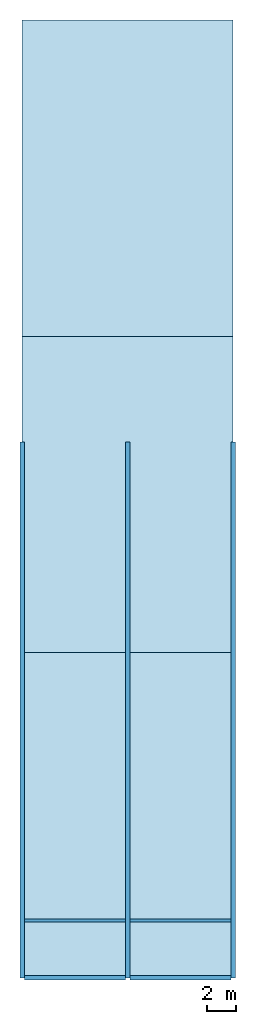
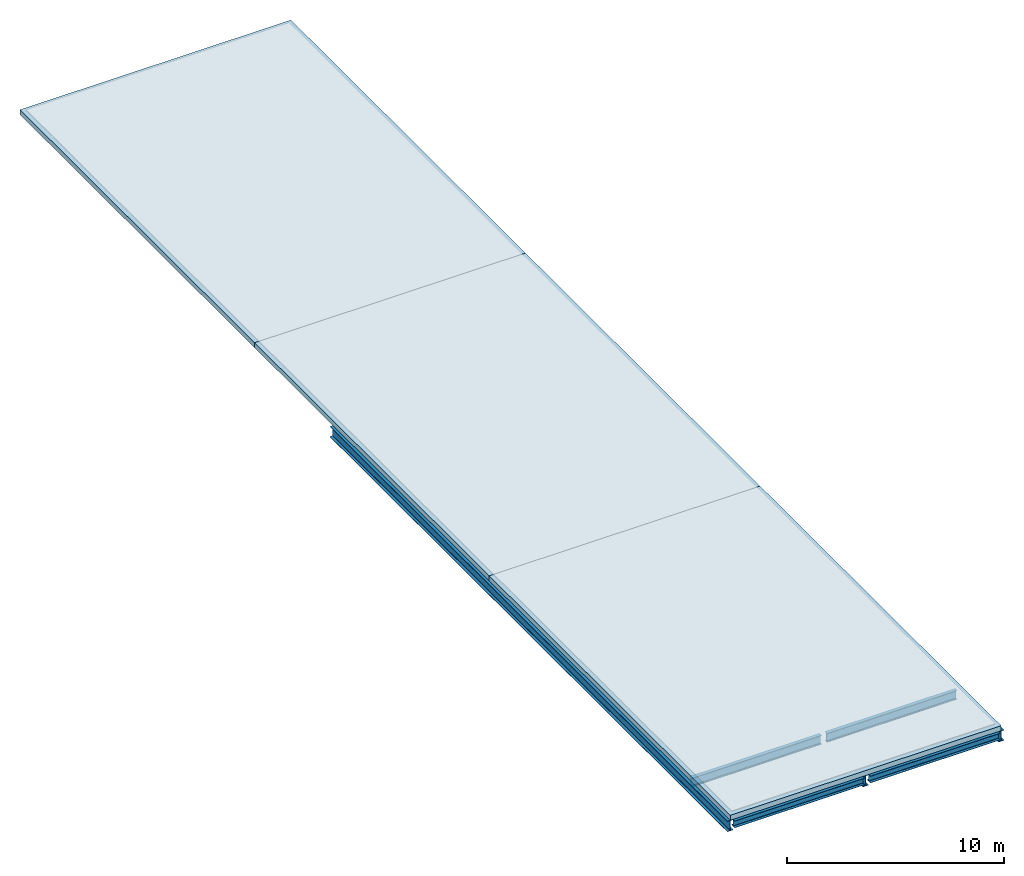
# One storey, part 1 of 2: 7 beams, 3 slabs.
"""IFC4 building model written with IfcOpenShell, lengths in metres."""

from ifc_helpers import new_model, si_unit, direction, frame, origin, origin_2d, place, context, subcontext, project, spatial, polyline, i_section, outline, extrude, material, layer, layer_set, material_profile, profile_set, type_object, element, save


model = new_model("IFC4")

# Units and contexts
model_context = context("Model", 3, precision=1e-05, world=origin(), true_north=direction((0.0, 1.0)))
body_context = subcontext(model_context, "Body", "Model", "MODEL_VIEW")
ifc_project = project(units=[si_unit("LENGTHUNIT", "METRE"), si_unit("AREAUNIT", "SQUARE_METRE"), si_unit("VOLUMEUNIT", "CUBIC_METRE"), si_unit("PLANEANGLEUNIT", "RADIAN"), si_unit("MASSUNIT", "GRAM", prefix="KILO")], contexts=[model_context])

# Site, building, storey
site_placement = place(None, origin())
site = spatial("IfcSite", under=ifc_project, at=site_placement, CompositionType="ELEMENT")
building_placement = place(site_placement, origin())
building = spatial("IfcBuilding", under=site, at=building_placement, Name="Valkovuoma Quantum and Materials Research Institute", CompositionType="ELEMENT")
storey_placement = place(building_placement, frame((0.0, 0.0, 42.239990234375)))
storey = spatial("IfcBuildingStorey", under=building, at=storey_placement, Name="Roof", CompositionType="ELEMENT", Elevation=42.239990234375)

# Beams
ifc_material_1 = material(Name="Steel S355J2", Category="steel")
ifc_material_profile_1 = material_profile(ifc_material_1, i_section(OverallWidth=0.300048828125, OverallDepth=0.389892578125, WebThickness=0.010986328125, FlangeThickness=0.01904296875, FilletRadius=0.027099609375, at=origin_2d()), Name="Steel S355J2")
ifc_profile_set_1 = profile_set([ifc_material_profile_1], Name="Steel S355J2")
beam_type_1 = type_object("IfcBeamType", Name="Beam-B-HEA400", PredefinedType="SPANDREL", material=ifc_profile_set_1)
beam_1_placement = place(storey_placement, frame((0.14990234375, 21.0, -0.47509765625), z_axis=(1.0, 0.0, 0.0), x_axis=(0.0, 1.0, 0.0)))
element("IfcBeam", 1, at=beam_1_placement, inside=storey, type_object=beam_type_1, Name="Roof cantilever tip beam 1", PredefinedType="SPANDREL", context=body_context, shape_type="SweptSolid", body=[
    extrude(i_section(OverallWidth=0.300048828125, OverallDepth=0.389892578125, WebThickness=0.010986328125, FlangeThickness=0.01904296875, FilletRadius=0.027099609375, at=origin_2d()), origin(), (0.0, 0.0, 1.0), 6.900146484375),
])
beam_2_placement = place(storey_placement, frame((7.35009765625, 21.0, -0.47509765625), z_axis=(1.0, 0.0, 0.0), x_axis=(0.0, 1.0, 0.0)))
element("IfcBeam", 2, at=beam_2_placement, inside=storey, type_object=beam_type_1, Name="Roof cantilever tip beam 2", PredefinedType="SPANDREL", context=body_context, shape_type="SweptSolid", body=[
    extrude(i_section(OverallWidth=0.300048828125, OverallDepth=0.389892578125, WebThickness=0.010986328125, FlangeThickness=0.01904296875, FilletRadius=0.027099609375, at=origin_2d()), origin(), (0.0, 0.0, 1.0), 6.89990234375),
])
ifc_material_2 = material(Name="Steel S355J2", Category="steel")
ifc_material_profile_2 = material_profile(ifc_material_2, i_section(OverallWidth=0.300048828125, OverallDepth=0.60009765625, WebThickness=0.015380859375, FlangeThickness=0.030029296875, FilletRadius=0.027099609375, at=origin_2d()), Name="Steel S355J2")
ifc_profile_set_2 = profile_set([ifc_material_profile_2], Name="Steel S355J2")
beam_type_2 = type_object("IfcBeamType", Name="Beam-B-HEB600", PredefinedType="BEAM", material=ifc_profile_set_2)
for number, where, z_axis, x_axis, name in (
    (3, (0.0, 21.0, -0.580078125), (0.0, 1.0, 0.0), (-1.0, 0.0, 0.0), "Roof cantilever girder X0"),
    (4, (7.199951171875, 21.0, -0.580078125), (0.0, 1.0, 0.0), (-1.0, 0.0, 0.0), "Roof cantilever girder X1"),
    (5, (14.39990234375, 21.0, -0.580078125), (0.0, 1.0, 0.0), (-1.0, 0.0, 0.0), "Roof cantilever girder X2"),
):
    element("IfcBeam", number, at=place(storey_placement, frame(where, z_axis=z_axis, x_axis=x_axis)), inside=storey, type_object=beam_type_2, Name=name, PredefinedType="BEAM", context=body_context, shape_type="SweptSolid", body=[
        extrude(i_section(OverallWidth=0.300048828125, OverallDepth=0.60009765625, WebThickness=0.015380859375, FlangeThickness=0.030029296875, FilletRadius=0.027099609375, at=origin_2d()), origin(), (0.0, 0.0, 1.0), 36.60009765625),
    ])
ifc_material_3 = material(Name="Steel S355J2", Category="steel")
ifc_material_profile_3 = material_profile(ifc_material_3, i_section(OverallWidth=0.199951171875, OverallDepth=0.5, WebThickness=0.01025390625, FlangeThickness=0.01611328125, FilletRadius=0.02099609375, at=origin_2d()), Name="Steel S355J2")
ifc_profile_set_3 = profile_set([ifc_material_profile_3], Name="Steel S355J2")
beam_type_3 = type_object("IfcBeamType", Name="Beam-B-IPE500", PredefinedType="BEAM", material=ifc_profile_set_3)
beam_3_placement = place(storey_placement, frame((0.14990234375, 24.89990234375, -0.530029296875), z_axis=(1.0, 0.0, 0.0), x_axis=(0.0, 1.0, 0.0)))
element("IfcBeam", 6, at=beam_3_placement, inside=storey, type_object=beam_type_3, Name="Roof cantilever mid beam 1", PredefinedType="BEAM", context=body_context, shape_type="SweptSolid", body=[
    extrude(i_section(OverallWidth=0.199951171875, OverallDepth=0.5, WebThickness=0.01025390625, FlangeThickness=0.01611328125, FilletRadius=0.02099609375, at=origin_2d()), origin(), (0.0, 0.0, 1.0), 6.900146484375),
])
beam_4_placement = place(storey_placement, frame((7.35009765625, 24.89990234375, -0.530029296875), z_axis=(1.0, 0.0, 0.0), x_axis=(0.0, 1.0, 0.0)))
element("IfcBeam", 7, at=beam_4_placement, inside=storey, type_object=beam_type_3, Name="Roof cantilever mid beam 2", PredefinedType="BEAM", context=body_context, shape_type="SweptSolid", body=[
    extrude(i_section(OverallWidth=0.199951171875, OverallDepth=0.5, WebThickness=0.01025390625, FlangeThickness=0.01611328125, FilletRadius=0.02099609375, at=origin_2d()), origin(), (0.0, 0.0, 1.0), 6.89990234375),
])

# Slabs
ifc_material_4 = material(Name="Concrete C40/50", Category="concrete")
ifc_layer = layer(ifc_material_4, 0.280029296875)
ifc_layer_set = layer_set([ifc_layer], Name="Concrete C40/50")
slab_type = type_object("IfcSlabType", Name="Slab-SL-RF280", PredefinedType="ROOF", material=ifc_layer_set)
slab_1_placement = place(storey_placement, frame((0.0, 0.0, -0.280029296875)))
element("IfcSlab", 8, at=slab_1_placement, inside=storey, type_object=slab_type, Name="Roof dry-lab flat roof slab 1", PredefinedType="ROOF", context=body_context, shape_type="SweptSolid", body=[
    extrude(outline(polyline([(0.0, 21.0), (14.39990234375, 21.0), (14.39990234375, 43.199951171875), (0.0, 43.199951171875), (0.0, 21.0)])), origin(), (0.0, 0.0, 1.0), 0.280029296875),
])
slab_2_placement = place(storey_placement, frame((0.0, 0.0, -0.280029296875)))
element("IfcSlab", 9, at=slab_2_placement, inside=storey, type_object=slab_type, Name="Roof dry-lab flat roof slab 2", PredefinedType="ROOF", context=body_context, shape_type="SweptSolid", body=[
    extrude(outline(polyline([(0.0, 43.199951171875), (14.39990234375, 43.199951171875), (14.39990234375, 64.800048828125), (0.0, 64.800048828125), (0.0, 43.199951171875)])), origin(), (0.0, 0.0, 1.0), 0.280029296875),
])
slab_3_placement = place(storey_placement, frame((0.0, 0.0, -0.280029296875)))
element("IfcSlab", 10, at=slab_3_placement, inside=storey, type_object=slab_type, Name="Roof dry-lab flat roof slab 3", PredefinedType="ROOF", context=body_context, shape_type="SweptSolid", body=[
    extrude(outline(polyline([(0.0, 64.800048828125), (14.39990234375, 64.800048828125), (14.39990234375, 86.39990234375), (0.0, 86.39990234375), (0.0, 64.800048828125)])), origin(), (0.0, 0.0, 1.0), 0.280029296875),
])

save(model, "model.ifc")
